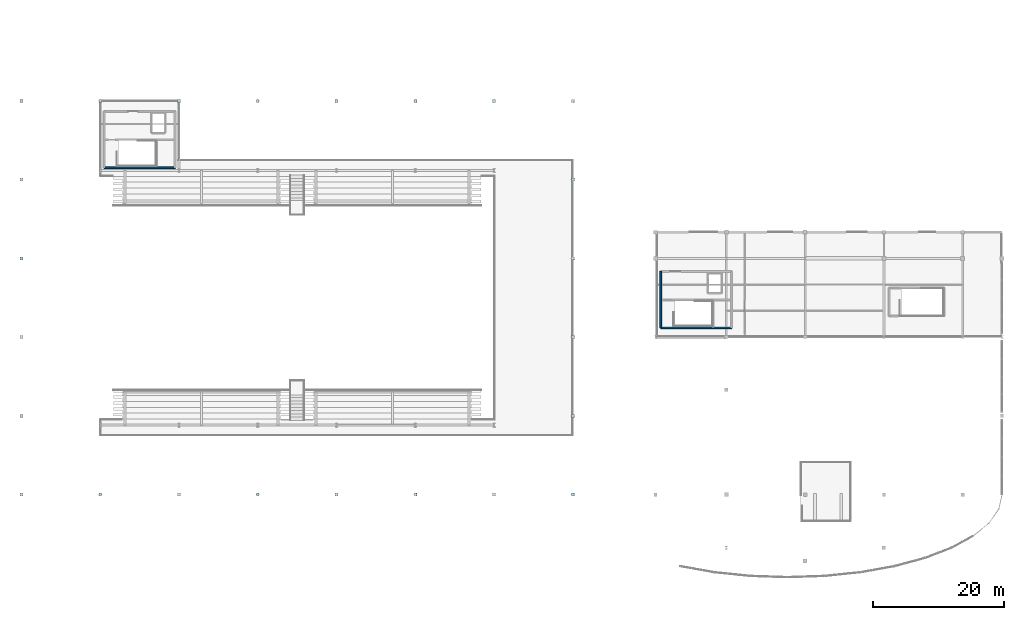
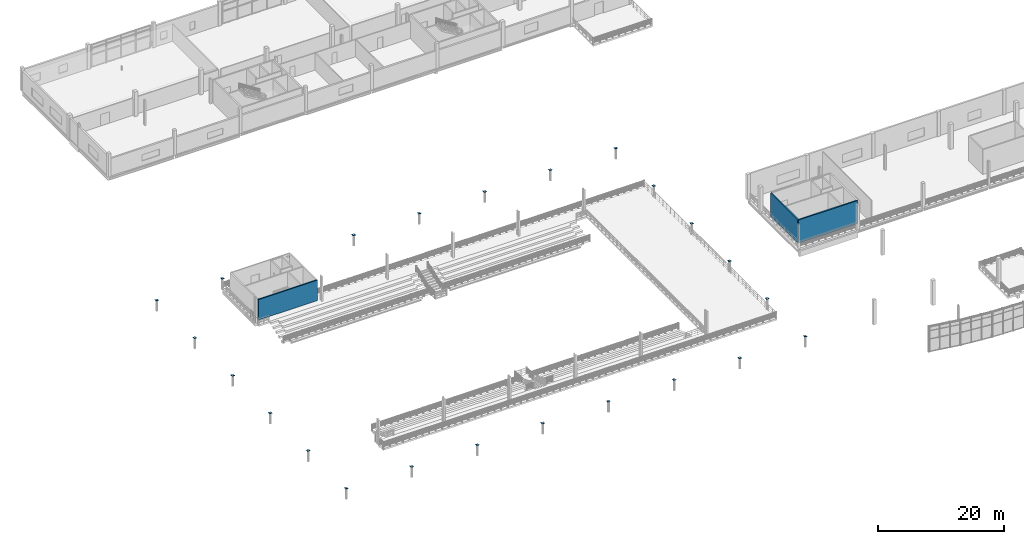
# One storey, part 35 of 52: 24 plates, 3 walls.
"""IFC4 building model written with IfcOpenShell, lengths in metres."""

from ifc_helpers import new_model, si_unit, direction, frame, frame_2d, origin, origin_2d, place, context, subcontext, project, spatial, rectangle, extrude, material, layer, layer_set, type_object, element, save


model = new_model("IFC4")

# Units and contexts
model_context = context("Model", 3, precision=1e-05, world=origin(), true_north=direction((0.0, 1.0)))
body_context = subcontext(model_context, "Body", "Model", "MODEL_VIEW")
ifc_project = project(units=[si_unit("LENGTHUNIT", "METRE"), si_unit("AREAUNIT", "SQUARE_METRE"), si_unit("VOLUMEUNIT", "CUBIC_METRE"), si_unit("PLANEANGLEUNIT", "RADIAN"), si_unit("MASSUNIT", "GRAM", prefix="KILO"), si_unit("THERMODYNAMICTEMPERATUREUNIT", "KELVIN"), si_unit("POWERUNIT", "WATT")], contexts=[model_context])

# Site, building, storey
site_placement = place(None, origin())
site = spatial("IfcSite", under=ifc_project, at=site_placement, CompositionType="ELEMENT")
building_placement = place(site_placement, origin())
building = spatial("IfcBuilding", under=site, at=building_placement, Name="Solmara Park Aquatics Centre", CompositionType="ELEMENT")
storey_placement = place(building_placement, frame((0.0, 0.0, 9.60009765625)))
storey = spatial("IfcBuildingStorey", under=building, at=storey_placement, Name="L02", CompositionType="ELEMENT", Elevation=9.60009765625)

# Plates
ifc_material_1 = material(Name="Structural Steel S355", Category="steel")
ifc_layer_1 = layer(ifc_material_1, 0.02490234375, Name="Structural Steel S355")
ifc_layer_set_1 = layer_set([ifc_layer_1], Name="Structural Steel S355")
plate_type = type_object("IfcPlateType", Name="STR-PLT-CAP50", PredefinedType="SHEET", material=ifc_layer_set_1)
for number, where, z_axis, x_axis, name in (
    (1, (12.60009765625, 12.60009765625, 2.06005859375), (0.0, 0.0, 1.0), (1.0, 0.0, 0.0), "Hollow Column Top Cap Plate L02 (12.6,12.6)"),
    (2, (12.60009765625, 24.60009765625, 2.06005859375), (0.0, 0.0, 1.0), (1.0, 0.0, 0.0), "Hollow Column Top Cap Plate L02 (12.6,24.6)"),
    (3, (12.60009765625, 36.60009765625, 2.06005859375), (0.0, 0.0, 1.0), (1.0, 0.0, 0.0), "Hollow Column Top Cap Plate L02 (12.6,36.6)"),
    (4, (12.60009765625, 48.60009765625, 2.06005859375), (0.0, 0.0, 1.0), (1.0, 0.0, 0.0), "Hollow Column Top Cap Plate L02 (12.6,48.6)"),
    (5, (12.60009765625, 60.60009765625, 2.06005859375), (0.0, 0.0, 1.0), (1.0, 0.0, 0.0), "Hollow Column Top Cap Plate L02 (12.6,60.6)"),
    (6, (12.60009765625, 72.60009765625, 2.06005859375), (0.0, 0.0, 1.0), (1.0, 0.0, 0.0), "Hollow Column Top Cap Plate L02 (12.6,72.6)"),
    (7, (24.60009765625, 12.60009765625, 2.06005859375), (0.0, 0.0, 1.0), (1.0, 0.0, 0.0), "Hollow Column Top Cap Plate L02 (24.6,12.6)"),
    (8, (24.60009765625, 72.60009765625, 2.06005859375), (0.0, 0.0, 1.0), (1.0, 0.0, 0.0), "Hollow Column Top Cap Plate L02 (24.6,72.6)"),
    (9, (36.60009765625, 12.60009765625, 2.06005859375), (0.0, 0.0, 1.0), (1.0, 0.0, 0.0), "Hollow Column Top Cap Plate L02 (36.6,12.6)"),
    (10, (36.60009765625, 72.60009765625, 2.06005859375), (0.0, 0.0, 1.0), (1.0, 0.0, 0.0), "Hollow Column Top Cap Plate L02 (36.6,72.6)"),
    (11, (48.60009765625, 12.60009765625, 2.06005859375), (0.0, 0.0, 1.0), (1.0, 0.0, 0.0), "Hollow Column Top Cap Plate L02 (48.6,12.6)"),
    (12, (48.60009765625, 72.60009765625, 2.06005859375), (0.0, 0.0, 1.0), (1.0, 0.0, 0.0), "Hollow Column Top Cap Plate L02 (48.6,72.6)"),
    (13, (60.60009765625, 12.60009765625, 2.06005859375), (0.0, 0.0, 1.0), (1.0, 0.0, 0.0), "Hollow Column Top Cap Plate L02 (60.6,12.6)"),
    (14, (60.60009765625, 72.60009765625, 2.06005859375), (0.0, 0.0, 1.0), (1.0, 0.0, 0.0), "Hollow Column Top Cap Plate L02 (60.6,72.6)"),
    (15, (72.60009765625, 12.60009765625, 2.06005859375), (0.0, 0.0, 1.0), (1.0, 0.0, 0.0), "Hollow Column Top Cap Plate L02 (72.6,12.6)"),
    (16, (72.60009765625, 72.60009765625, 2.06005859375), (0.0, 0.0, 1.0), (1.0, 0.0, 0.0), "Hollow Column Top Cap Plate L02 (72.6,72.6)"),
    (17, (84.60009765625, 12.60009765625, 2.06005859375), (0.0, 0.0, 1.0), (1.0, 0.0, 0.0), "Hollow Column Top Cap Plate L02 (84.6,12.6)"),
    (18, (84.60009765625, 72.60009765625, 2.06005859375), (0.0, 0.0, 1.0), (1.0, 0.0, 0.0), "Hollow Column Top Cap Plate L02 (84.6,72.6)"),
    (19, (96.60009765625, 12.60009765625, 2.06005859375), (0.0, 0.0, 1.0), (1.0, 0.0, 0.0), "Hollow Column Top Cap Plate L02 (96.6,12.6)"),
    (20, (96.60009765625, 24.60009765625, 2.06005859375), (0.0, 0.0, 1.0), (1.0, 0.0, 0.0), "Hollow Column Top Cap Plate L02 (96.6,24.6)"),
    (21, (96.60009765625, 36.60009765625, 2.06005859375), (0.0, 0.0, 1.0), (1.0, 0.0, 0.0), "Hollow Column Top Cap Plate L02 (96.6,36.6)"),
    (22, (96.60009765625, 48.60009765625, 2.06005859375), (0.0, 0.0, 1.0), (1.0, 0.0, 0.0), "Hollow Column Top Cap Plate L02 (96.6,48.6)"),
    (23, (96.60009765625, 60.60009765625, 2.06005859375), (0.0, 0.0, 1.0), (1.0, 0.0, 0.0), "Hollow Column Top Cap Plate L02 (96.6,60.6)"),
    (24, (96.60009765625, 72.60009765625, 2.06005859375), (0.0, 0.0, 1.0), (1.0, 0.0, 0.0), "Hollow Column Top Cap Plate L02 (96.6,72.6)"),
):
    element("IfcPlate", number, at=place(storey_placement, frame(where, z_axis=z_axis, x_axis=x_axis)), inside=storey, type_object=plate_type, Name=name, PredefinedType="SHEET", context=body_context, shape_type="SweptSolid", body=[
        extrude(rectangle(XDim=0.449951171875, YDim=0.449951171875, at=origin_2d()), origin(), (0.0, 0.0, 1.0), 0.02490234375),
    ])

# Walls
ifc_material_2 = material(Name="Concrete C40/50", Category="concrete")
ifc_layer_2 = layer(ifc_material_2, 0.25, Name="Concrete C40/50")
ifc_layer_set_2 = layer_set([ifc_layer_2], Name="Concrete C40/50")
wall_type = type_object("IfcWallType", Name="ARC-WL-CORE250", PredefinedType="SHEAR", material=ifc_layer_set_2)
wall_1_placement = place(storey_placement, frame((110.0, 38.0, 0.0), z_axis=(0.0, 0.0, 1.0), x_axis=(1.0, 0.0, 0.0)))
element("IfcWall", 25, at=wall_1_placement, inside=storey, type_object=wall_type, Name="CORE-3 Core Wall S L02", PredefinedType="SHEAR", context=body_context, shape_type="SweptSolid", body=[
    extrude(rectangle(XDim=10.800048828125, YDim=0.25, at=frame_2d((5.39990234375, 0.0))), origin(), (0.0, 0.0, 1.0), 4.47998046875),
])
wall_2_placement = place(storey_placement, frame((110.0, 38.0, 0.0), z_axis=(0.0, 0.0, 1.0), x_axis=(0.0, 1.0, 0.0)))
element("IfcWall", 26, at=wall_2_placement, inside=storey, type_object=wall_type, Name="CORE-3 Core Wall W L02", PredefinedType="SHEAR", context=body_context, shape_type="SweptSolid", body=[
    extrude(rectangle(XDim=8.60009765625, YDim=0.25, at=frame_2d((4.300048828125, 0.0))), origin(), (0.0, 0.0, 1.0), 4.47998046875),
])
wall_3_placement = place(storey_placement, frame((25.199951171875, 62.39990234375, 0.0), z_axis=(0.0, 0.0, 1.0), x_axis=(1.0, 0.0, 0.0)))
element("IfcWall", 27, at=wall_3_placement, inside=storey, type_object=wall_type, Name="CORE-4 Core Wall S L02", PredefinedType="SHEAR", context=body_context, shape_type="SweptSolid", body=[
    extrude(rectangle(XDim=10.800048828125, YDim=0.25, at=frame_2d((5.39990234375, 0.0))), origin(), (0.0, 0.0, 1.0), 3.949951171875),
])

save(model, "model.ifc")
